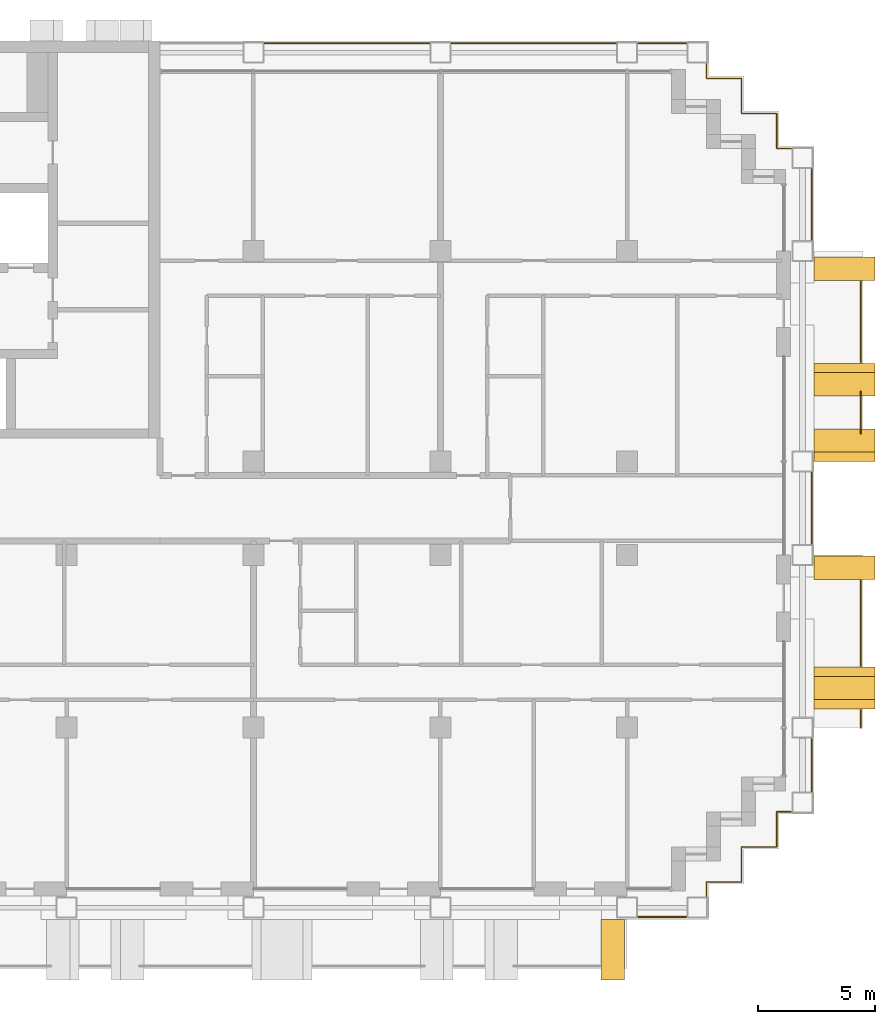
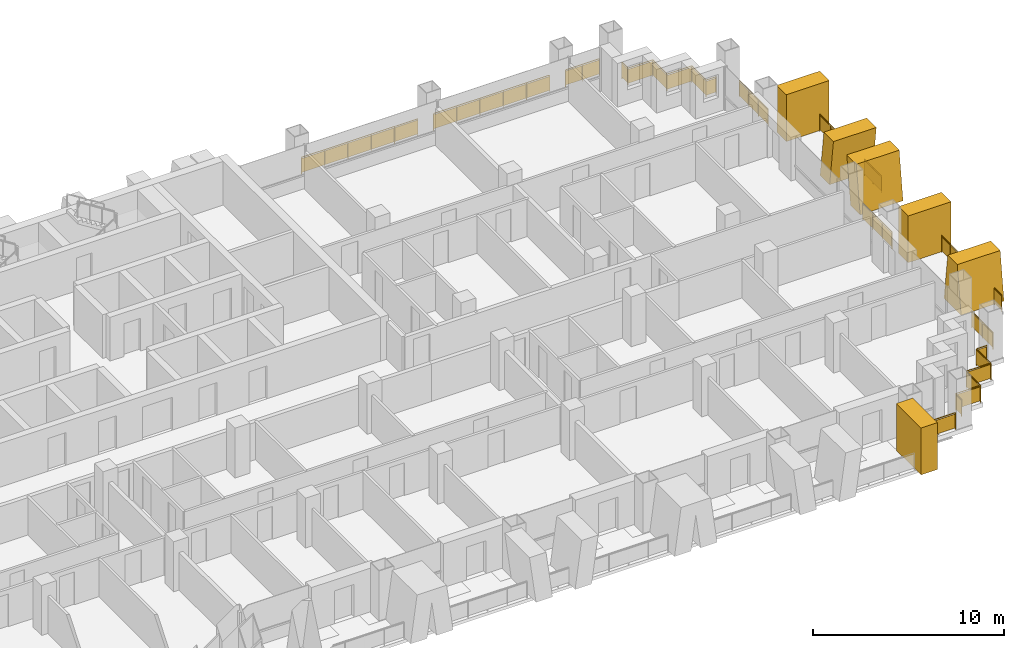
# One storey, part 18 of 18: 13 railings, 6 shading devices.
"""IFC4 building model written with IfcOpenShell, lengths in metres."""

from ifc_helpers import new_model, si_unit, direction, frame, origin, origin_2d, place, context, subcontext, project, spatial, polyline, rectangle, circle, outline, extrude, material, layer, layer_set, type_object, element, save


model = new_model("IFC4")

# Units and contexts
model_context = context("Model", 3, precision=1e-05, world=origin(), true_north=direction((0.0, 1.0)))
body_context = subcontext(model_context, "Body", "Model", "MODEL_VIEW")
ifc_project = project(units=[si_unit("LENGTHUNIT", "METRE"), si_unit("AREAUNIT", "SQUARE_METRE"), si_unit("VOLUMEUNIT", "CUBIC_METRE"), si_unit("PLANEANGLEUNIT", "RADIAN"), si_unit("MASSUNIT", "GRAM", prefix="KILO")], contexts=[model_context])

# Site, building, storey
site_placement = place(None, origin())
site = spatial("IfcSite", under=ifc_project, at=site_placement, CompositionType="ELEMENT")
building_placement = place(site_placement, origin())
building = spatial("IfcBuilding", under=site, at=building_placement, Name="Vidyagriha Tower", CompositionType="ELEMENT")
storey_placement = place(building_placement, frame((0.0, 0.0, 103.10009765625)))
storey = spatial("IfcBuildingStorey", under=building, at=storey_placement, Name="L27", CompositionType="ELEMENT", Elevation=103.10009765625)

# Railings
ifc_material_1 = material(Name="Steel ASTM A500 Grade C black painted", Category="steel")
railing_type_1 = type_object("IfcRailingType", Name="Balcony guard 1100", PredefinedType="BALUSTRADE", material=ifc_material_1)
railing_1_placement = place(storey_placement, frame((44.0, -9.39990234375, 0.0)))
element("IfcRailing", 1, at=railing_1_placement, inside=storey, type_object=railing_type_1, Name="Balcony guard L27 R30.1-1", PredefinedType="BALUSTRADE", context=body_context, shape_type="SweptSolid", body=[
    extrude(circle(Radius=0.02490234375, at=origin_2d()), frame((0.0, 0.0, 1.0751953125), z_axis=(0.0, 1.0, 0.0), x_axis=(-1.0, 0.0, 0.0)), (0.0, 0.0, 1.0), 0.75),
    extrude(circle(Radius=0.02001953125, at=origin_2d()), origin(), (0.0, 0.0, 1.0), 1.050048828125),
    extrude(circle(Radius=0.02001953125, at=origin_2d()), frame((0.0, 0.75, 0.0)), (0.0, 0.0, 1.0), 1.050048828125),
    extrude(rectangle(XDim=0.010009765625, YDim=0.900146484375, at=origin_2d()), frame((0.0, 0.0, 0.550048828125), z_axis=(0.0, 1.0, 0.0), x_axis=(-1.0, 0.0, 0.0)), (0.0, 0.0, 1.0), 0.75),
])
railing_2_placement = place(storey_placement, frame((44.0, -6.75, 0.0)))
element("IfcRailing", 2, at=railing_2_placement, inside=storey, type_object=railing_type_1, Name="Balcony guard L27 R30.1-2", PredefinedType="BALUSTRADE", context=body_context, shape_type="SweptSolid", body=[
    extrude(circle(Radius=0.02490234375, at=origin_2d()), frame((0.0, 0.0, 1.0751953125), z_axis=(0.0, 1.0, 0.0), x_axis=(-1.0, 0.0, 0.0)), (0.0, 0.0, 1.0), 3.64990234375),
    extrude(circle(Radius=0.02001953125, at=origin_2d()), origin(), (0.0, 0.0, 1.0), 1.050048828125),
    extrude(circle(Radius=0.02001953125, at=origin_2d()), frame((0.0, 0.91259765625, 0.0)), (0.0, 0.0, 1.0), 1.050048828125),
    extrude(circle(Radius=0.02001953125, at=origin_2d()), frame((0.0, 1.824951171875, 0.0)), (0.0, 0.0, 1.0), 1.050048828125),
    extrude(circle(Radius=0.02001953125, at=origin_2d()), frame((0.0, 2.7373046875, 0.0)), (0.0, 0.0, 1.0), 1.050048828125),
    extrude(circle(Radius=0.02001953125, at=origin_2d()), frame((0.0, 3.64990234375, 0.0)), (0.0, 0.0, 1.0), 1.050048828125),
    extrude(rectangle(XDim=0.010009765625, YDim=0.900146484375, at=origin_2d()), frame((0.0, 0.0, 0.550048828125), z_axis=(0.0, 1.0, 0.0), x_axis=(-1.0, 0.0, 0.0)), (0.0, 0.0, 1.0), 3.64990234375),
])
railing_3_placement = place(storey_placement, frame((44.0, 3.203369140625, 0.0)))
element("IfcRailing", 3, at=railing_3_placement, inside=storey, type_object=railing_type_1, Name="Balcony guard L27 R30.2-1", PredefinedType="BALUSTRADE", context=body_context, shape_type="SweptSolid", body=[
    extrude(circle(Radius=0.02490234375, at=origin_2d()), frame((0.0, 0.0, 1.0751953125), z_axis=(0.0, 1.0, 0.0), x_axis=(-1.0, 0.0, 0.0)), (0.0, 0.0, 1.0), 1.793212890625),
    extrude(circle(Radius=0.02001953125, at=origin_2d()), origin(), (0.0, 0.0, 1.0), 1.050048828125),
    extrude(circle(Radius=0.02001953125, at=origin_2d()), frame((0.0, 0.896484375, 0.0)), (0.0, 0.0, 1.0), 1.050048828125),
    extrude(circle(Radius=0.02001953125, at=origin_2d()), frame((0.0, 1.793212890625, 0.0)), (0.0, 0.0, 1.0), 1.050048828125),
    extrude(rectangle(XDim=0.010009765625, YDim=0.900146484375, at=origin_2d()), frame((0.0, 0.0, 0.550048828125), z_axis=(0.0, 1.0, 0.0), x_axis=(-1.0, 0.0, 0.0)), (0.0, 0.0, 1.0), 1.793212890625),
])
railing_4_placement = place(storey_placement, frame((44.0, 6.25, 0.0)))
element("IfcRailing", 4, at=railing_4_placement, inside=storey, type_object=railing_type_1, Name="Balcony guard L27 R30.2-2", PredefinedType="BALUSTRADE", context=body_context, shape_type="SweptSolid", body=[
    extrude(circle(Radius=0.02490234375, at=origin_2d()), frame((0.0, 0.0, 1.0751953125), z_axis=(0.0, 1.0, 0.0), x_axis=(-1.0, 0.0, 0.0)), (0.0, 0.0, 1.0), 3.449951171875),
    extrude(circle(Radius=0.02001953125, at=origin_2d()), origin(), (0.0, 0.0, 1.0), 1.050048828125),
    extrude(circle(Radius=0.02001953125, at=origin_2d()), frame((0.0, 1.14990234375, 0.0)), (0.0, 0.0, 1.0), 1.050048828125),
    extrude(circle(Radius=0.02001953125, at=origin_2d()), frame((0.0, 2.300048828125, 0.0)), (0.0, 0.0, 1.0), 1.050048828125),
    extrude(circle(Radius=0.02001953125, at=origin_2d()), frame((0.0, 3.449951171875, 0.0)), (0.0, 0.0, 1.0), 1.050048828125),
    extrude(rectangle(XDim=0.010009765625, YDim=0.900146484375, at=origin_2d()), frame((0.0, 0.0, 0.550048828125), z_axis=(0.0, 1.0, 0.0), x_axis=(-1.0, 0.0, 0.0)), (0.0, 0.0, 1.0), 3.449951171875),
])

# Shading devices
ifc_material_2 = material(Name="Precast concrete C40/50 with buff brick facing", Category="concrete")
ifc_layer_1 = layer(ifc_material_2, 1.0)
ifc_layer_set_1 = layer_set([ifc_layer_1], Name="Precast concrete C40/50 with buff brick facing")
shading_device_type_1 = type_object("IfcShadingDeviceType", Name="Brick-faced blade fin arm leaning 8 degrees", PredefinedType="USERDEFINED", material=ifc_layer_set_1)
shading_device_1_placement = place(storey_placement, frame((43.300048828125, 4.800048828125, 0.0), z_axis=(0.0, 0.0, 1.0), x_axis=(0.0, 1.0, 0.0)))
element("IfcShadingDevice", 5, at=shading_device_1_placement, inside=storey, type_object=shading_device_type_1, Name="Leaning blade fin L27 R30.1350a", ObjectType="BLADE FIN", PredefinedType="USERDEFINED", context=body_context, shape_type="SweptSolid", body=[
    extrude(outline(polyline([(0.39990234375, 0.0), (1.39990234375, 0.0), (1.0, 3.0), (0.0, 3.0), (0.39990234375, 0.0)])), frame((0.0, 1.300048828125, 0.0), z_axis=(0.0, -1.0, 0.0), x_axis=(1.0, 0.0, 0.0)), (0.0, 0.0, 1.0), 2.60009765625),
])
shading_device_2_placement = place(storey_placement, frame((43.300048828125, 2.0, 0.0), z_axis=(0.0, 0.0, 1.0), x_axis=(0.0, 1.0, 0.0)))
element("IfcShadingDevice", 6, at=shading_device_2_placement, inside=storey, type_object=shading_device_type_1, Name="Leaning blade fin L27 R30.1350b", ObjectType="BLADE FIN", PredefinedType="USERDEFINED", context=body_context, shape_type="SweptSolid", body=[
    extrude(outline(polyline([(0.0, 0.0), (1.0, 0.0), (1.39990234375, 3.0), (0.39990234375, 3.0), (0.0, 0.0)])), frame((0.0, 1.300048828125, 0.0), z_axis=(0.0, -1.0, 0.0), x_axis=(1.0, 0.0, 0.0)), (0.0, 0.0, 1.0), 2.60009765625),
])
ifc_material_3 = material(Name="Precast concrete C40/50 with buff brick facing", Category="concrete")
ifc_layer_2 = layer(ifc_material_3, 1.0)
ifc_layer_set_2 = layer_set([ifc_layer_2], Name="Precast concrete C40/50 with buff brick facing")
shading_device_type_2 = type_object("IfcShadingDeviceType", Name="Brick-faced blade fin forking 8 degrees", PredefinedType="USERDEFINED", material=ifc_layer_set_2)
shading_device_3_placement = place(storey_placement, frame((43.300048828125, -8.60009765625, 0.0), z_axis=(0.0, 0.0, 1.0), x_axis=(0.0, 1.0, 0.0)))
element("IfcShadingDevice", 7, at=shading_device_3_placement, inside=storey, type_object=shading_device_type_2, Name="Forked blade fin L27 R30.210a", ObjectType="BLADE FIN", PredefinedType="USERDEFINED", context=body_context, shape_type="SweptSolid", body=[
    extrude(outline(polyline([(0.0, 0.0), (1.800048828125, 0.0), (1.39990234375, 3.0), (0.39990234375, 3.0), (0.0, 0.0)])), frame((0.0, 1.300048828125, 0.0), z_axis=(0.0, -1.0, 0.0), x_axis=(1.0, 0.0, 0.0)), (0.0, 0.0, 1.0), 2.60009765625),
])
ifc_material_4 = material(Name="Precast concrete C40/50 with buff brick facing", Category="concrete")
ifc_layer_3 = layer(ifc_material_4, 1.0)
ifc_layer_set_3 = layer_set([ifc_layer_3], Name="Precast concrete C40/50 with buff brick facing")
shading_device_type_3 = type_object("IfcShadingDeviceType", Name="Brick-faced blade fin stem 1000", PredefinedType="USERDEFINED", material=ifc_layer_set_3)
shading_device_4_placement = place(storey_placement, frame((32.875, -18.89990234375, 0.0)))
element("IfcShadingDevice", 8, at=shading_device_4_placement, inside=storey, type_object=shading_device_type_3, Name="Stem blade fin L27 R23.5790a", ObjectType="BLADE FIN", PredefinedType="USERDEFINED", context=body_context, shape_type="SweptSolid", body=[
    extrude(outline(polyline([(0.0, 0.0), (1.0, 0.0), (1.0, 3.0), (0.0, 3.0), (0.0, 0.0)])), frame((0.0, 1.300048828125, 0.0), z_axis=(0.0, -1.0, 0.0), x_axis=(1.0, 0.0, 0.0)), (0.0, 0.0, 1.0), 2.60009765625),
])
for number, where, z_axis, x_axis, name in (
    (9, (43.300048828125, -3.050048828125, 0.0), (0.0, 0.0, 1.0), (0.0, 1.0, 0.0), "Stem blade fin L27 R30.950a"),
    (10, (43.300048828125, 9.75, 0.0), (0.0, 0.0, 1.0), (0.0, 1.0, 0.0), "Stem blade fin L27 R30.2250a"),
):
    element("IfcShadingDevice", number, at=place(storey_placement, frame(where, z_axis=z_axis, x_axis=x_axis)), inside=storey, type_object=shading_device_type_3, Name=name, ObjectType="BLADE FIN", PredefinedType="USERDEFINED", context=body_context, shape_type="SweptSolid", body=[
        extrude(outline(polyline([(0.0, 0.0), (1.0, 0.0), (1.0, 3.0), (0.0, 3.0), (0.0, 0.0)])), frame((0.0, 1.300048828125, 0.0), z_axis=(0.0, -1.0, 0.0), x_axis=(1.0, 0.0, 0.0)), (0.0, 0.0, 1.0), 2.60009765625),
    ])

# Railings
ifc_material_5 = material(Name="Steel ASTM A500 Grade C black painted", Category="steel")
railing_type_2 = type_object("IfcRailingType", Name="Gallery guard 1100", PredefinedType="GUARDRAIL", material=ifc_material_5)
for number, where, name in (
    (11, (18.47998046875, 19.89990234375, 0.0), "Gallery guard L27 10"),
    (12, (26.47998046875, 19.89990234375, 0.0), "Gallery guard L27 11"),
):
    element("IfcRailing", number, at=place(storey_placement, frame(where)), inside=storey, type_object=railing_type_2, Name=name, PredefinedType="GUARDRAIL", context=body_context, shape_type="SweptSolid", body=[
        extrude(circle(Radius=0.02490234375, at=origin_2d()), frame((0.0, 0.0, 1.0751953125), z_axis=(1.0, 0.0, 0.0), x_axis=(0.0, 1.0, 0.0)), (0.0, 0.0, 1.0), 7.0400390625),
        extrude(circle(Radius=0.02001953125, at=origin_2d()), origin(), (0.0, 0.0, 1.0), 1.050048828125),
        extrude(circle(Radius=0.02001953125, at=origin_2d()), frame((1.407958984375, 0.0, 0.0)), (0.0, 0.0, 1.0), 1.050048828125),
        extrude(circle(Radius=0.02001953125, at=origin_2d()), frame((2.81591796875, 0.0, 0.0)), (0.0, 0.0, 1.0), 1.050048828125),
        extrude(circle(Radius=0.02001953125, at=origin_2d()), frame((4.22412109375, 0.0, 0.0)), (0.0, 0.0, 1.0), 1.050048828125),
        extrude(circle(Radius=0.02001953125, at=origin_2d()), frame((5.632080078125, 0.0, 0.0)), (0.0, 0.0, 1.0), 1.050048828125),
        extrude(circle(Radius=0.02001953125, at=origin_2d()), frame((7.0400390625, 0.0, 0.0)), (0.0, 0.0, 1.0), 1.050048828125),
        extrude(rectangle(XDim=0.010009765625, YDim=0.900146484375, at=origin_2d()), frame((0.0, 0.0, 0.550048828125), z_axis=(1.0, 0.0, 0.0), x_axis=(0.0, 1.0, 0.0)), (0.0, 0.0, 1.0), 7.0400390625),
    ])
railing_5_placement = place(storey_placement, frame((36.52001953125, -17.5, 0.0)))
element("IfcRailing", 13, at=railing_5_placement, inside=storey, type_object=railing_type_2, Name="Gallery guard L27 12", PredefinedType="GUARDRAIL", context=body_context, shape_type="SweptSolid", body=[
    extrude(circle(Radius=0.02490234375, at=origin_2d()), frame((0.0, 0.0, 1.0751953125), z_axis=(-1.0, 0.0, 0.0), x_axis=(0.0, -1.0, 0.0)), (0.0, 0.0, 1.0), 2.0400390625),
    extrude(circle(Radius=0.02001953125, at=origin_2d()), origin(), (0.0, 0.0, 1.0), 1.050048828125),
    extrude(circle(Radius=0.02001953125, at=origin_2d()), frame((-1.02001953125, 0.0, 0.0)), (0.0, 0.0, 1.0), 1.050048828125),
    extrude(circle(Radius=0.02001953125, at=origin_2d()), frame((-2.0400390625, 0.0, 0.0)), (0.0, 0.0, 1.0), 1.050048828125),
    extrude(rectangle(XDim=0.010009765625, YDim=0.900146484375, at=origin_2d()), frame((0.0, 0.0, 0.550048828125), z_axis=(-1.0, 0.0, 0.0), x_axis=(0.0, -1.0, 0.0)), (0.0, 0.0, 1.0), 2.0400390625),
])
railing_6_placement = place(storey_placement, frame((34.47998046875, 19.89990234375, 0.0)))
element("IfcRailing", 14, at=railing_6_placement, inside=storey, type_object=railing_type_2, Name="Gallery guard L27 13", PredefinedType="GUARDRAIL", context=body_context, shape_type="SweptSolid", body=[
    extrude(circle(Radius=0.02490234375, at=origin_2d()), frame((0.0, 0.0, 1.0751953125), z_axis=(1.0, 0.0, 0.0), x_axis=(0.0, 1.0, 0.0)), (0.0, 0.0, 1.0), 2.0400390625),
    extrude(circle(Radius=0.02001953125, at=origin_2d()), origin(), (0.0, 0.0, 1.0), 1.050048828125),
    extrude(circle(Radius=0.02001953125, at=origin_2d()), frame((1.02001953125, 0.0, 0.0)), (0.0, 0.0, 1.0), 1.050048828125),
    extrude(circle(Radius=0.02001953125, at=origin_2d()), frame((2.0400390625, 0.0, 0.0)), (0.0, 0.0, 1.0), 1.050048828125),
    extrude(rectangle(XDim=0.010009765625, YDim=0.900146484375, at=origin_2d()), frame((0.0, 0.0, 0.550048828125), z_axis=(1.0, 0.0, 0.0), x_axis=(0.0, 1.0, 0.0)), (0.0, 0.0, 1.0), 2.0400390625),
])
railing_7_placement = place(storey_placement, frame((41.02001953125, -13.0, 0.0)))
element("IfcRailing", 15, at=railing_7_placement, inside=storey, type_object=railing_type_2, Name="Gallery guard L27 14", PredefinedType="GUARDRAIL", context=body_context, shape_type="SweptSolid", body=[
    extrude(circle(Radius=0.02490234375, at=origin_2d()), frame((0.0, 0.0, 1.0751953125), z_axis=(-1.0, 0.0, 0.0), x_axis=(0.0, -1.0, 0.0)), (0.0, 0.0, 1.0), 0.6201171875),
    extrude(circle(Radius=0.02490234375, at=origin_2d()), frame((-0.6201171875, 0.0, 1.0751953125), z_axis=(0.0, -1.0, 0.0), x_axis=(1.0, 0.0, 0.0)), (0.0, 0.0, 1.0), 1.5),
    extrude(circle(Radius=0.02490234375, at=origin_2d()), frame((-0.6201171875, -1.5, 1.0751953125), z_axis=(-1.0, 0.0, 0.0), x_axis=(0.0, -1.0, 0.0)), (0.0, 0.0, 1.0), 1.5),
    extrude(circle(Radius=0.02490234375, at=origin_2d()), frame((-2.1201171875, -1.5, 1.0751953125), z_axis=(0.0, -1.0, 0.0), x_axis=(1.0, 0.0, 0.0)), (0.0, 0.0, 1.0), 1.5),
    extrude(circle(Radius=0.02490234375, at=origin_2d()), frame((-2.1201171875, -3.0, 1.0751953125), z_axis=(-1.0, 0.0, 0.0), x_axis=(0.0, -1.0, 0.0)), (0.0, 0.0, 1.0), 1.5),
    extrude(circle(Radius=0.02490234375, at=origin_2d()), frame((-3.6201171875, -3.0, 1.0751953125), z_axis=(0.0, -1.0, 0.0), x_axis=(1.0, 0.0, 0.0)), (0.0, 0.0, 1.0), 0.6201171875),
    extrude(circle(Radius=0.02001953125, at=origin_2d()), origin(), (0.0, 0.0, 1.0), 1.050048828125),
    extrude(circle(Radius=0.02001953125, at=origin_2d()), frame((-0.6201171875, 0.0, 0.0)), (0.0, 0.0, 1.0), 1.050048828125),
    extrude(circle(Radius=0.02001953125, at=origin_2d()), frame((-0.6201171875, -1.5, 0.0)), (0.0, 0.0, 1.0), 1.050048828125),
    extrude(circle(Radius=0.02001953125, at=origin_2d()), frame((-2.1201171875, -1.5, 0.0)), (0.0, 0.0, 1.0), 1.050048828125),
    extrude(circle(Radius=0.02001953125, at=origin_2d()), frame((-2.1201171875, -3.0, 0.0)), (0.0, 0.0, 1.0), 1.050048828125),
    extrude(circle(Radius=0.02001953125, at=origin_2d()), frame((-3.6201171875, -3.0, 0.0)), (0.0, 0.0, 1.0), 1.050048828125),
    extrude(circle(Radius=0.02001953125, at=origin_2d()), frame((-3.6201171875, -3.6201171875, 0.0)), (0.0, 0.0, 1.0), 1.050048828125),
    extrude(rectangle(XDim=0.010009765625, YDim=0.900146484375, at=origin_2d()), frame((0.0, 0.0, 0.550048828125), z_axis=(-1.0, 0.0, 0.0), x_axis=(0.0, -1.0, 0.0)), (0.0, 0.0, 1.0), 0.6201171875),
    extrude(rectangle(XDim=0.010009765625, YDim=0.900146484375, at=origin_2d()), frame((-0.6201171875, 0.0, 0.550048828125), z_axis=(0.0, -1.0, 0.0), x_axis=(1.0, 0.0, 0.0)), (0.0, 0.0, 1.0), 1.5),
    extrude(rectangle(XDim=0.010009765625, YDim=0.900146484375, at=origin_2d()), frame((-0.6201171875, -1.5, 0.550048828125), z_axis=(-1.0, 0.0, 0.0), x_axis=(0.0, -1.0, 0.0)), (0.0, 0.0, 1.0), 1.5),
    extrude(rectangle(XDim=0.010009765625, YDim=0.900146484375, at=origin_2d()), frame((-2.1201171875, -1.5, 0.550048828125), z_axis=(0.0, -1.0, 0.0), x_axis=(1.0, 0.0, 0.0)), (0.0, 0.0, 1.0), 1.5),
    extrude(rectangle(XDim=0.010009765625, YDim=0.900146484375, at=origin_2d()), frame((-2.1201171875, -3.0, 0.550048828125), z_axis=(-1.0, 0.0, 0.0), x_axis=(0.0, -1.0, 0.0)), (0.0, 0.0, 1.0), 1.5),
    extrude(rectangle(XDim=0.010009765625, YDim=0.900146484375, at=origin_2d()), frame((-3.6201171875, -3.0, 0.550048828125), z_axis=(0.0, -1.0, 0.0), x_axis=(1.0, 0.0, 0.0)), (0.0, 0.0, 1.0), 0.6201171875),
])
railing_8_placement = place(storey_placement, frame((37.39990234375, 19.02001953125, 0.0)))
element("IfcRailing", 16, at=railing_8_placement, inside=storey, type_object=railing_type_2, Name="Gallery guard L27 15", PredefinedType="GUARDRAIL", context=body_context, shape_type="SweptSolid", body=[
    extrude(circle(Radius=0.02490234375, at=origin_2d()), frame((0.0, 0.0, 1.0751953125), z_axis=(0.0, -1.0, 0.0), x_axis=(1.0, 0.0, 0.0)), (0.0, 0.0, 1.0), 0.6201171875),
    extrude(circle(Radius=0.02490234375, at=origin_2d()), frame((0.0, -0.6201171875, 1.0751953125), z_axis=(1.0, 0.0, 0.0), x_axis=(0.0, 1.0, 0.0)), (0.0, 0.0, 1.0), 1.5),
    extrude(circle(Radius=0.02490234375, at=origin_2d()), frame((1.5, -0.6201171875, 1.0751953125), z_axis=(0.0, -1.0, 0.0), x_axis=(1.0, 0.0, 0.0)), (0.0, 0.0, 1.0), 1.5),
    extrude(circle(Radius=0.02490234375, at=origin_2d()), frame((1.5, -2.1201171875, 1.0751953125), z_axis=(1.0, 0.0, 0.0), x_axis=(0.0, 1.0, 0.0)), (0.0, 0.0, 1.0), 1.5),
    extrude(circle(Radius=0.02490234375, at=origin_2d()), frame((3.0, -2.1201171875, 1.0751953125), z_axis=(0.0, -1.0, 0.0), x_axis=(1.0, 0.0, 0.0)), (0.0, 0.0, 1.0), 1.5),
    extrude(circle(Radius=0.02490234375, at=origin_2d()), frame((3.0, -3.6201171875, 1.0751953125), z_axis=(1.0, 0.0, 0.0), x_axis=(0.0, 1.0, 0.0)), (0.0, 0.0, 1.0), 0.6201171875),
    extrude(circle(Radius=0.02001953125, at=origin_2d()), origin(), (0.0, 0.0, 1.0), 1.050048828125),
    extrude(circle(Radius=0.02001953125, at=origin_2d()), frame((0.0, -0.6201171875, 0.0)), (0.0, 0.0, 1.0), 1.050048828125),
    extrude(circle(Radius=0.02001953125, at=origin_2d()), frame((1.5, -0.6201171875, 0.0)), (0.0, 0.0, 1.0), 1.050048828125),
    extrude(circle(Radius=0.02001953125, at=origin_2d()), frame((1.5, -2.1201171875, 0.0)), (0.0, 0.0, 1.0), 1.050048828125),
    extrude(circle(Radius=0.02001953125, at=origin_2d()), frame((3.0, -2.1201171875, 0.0)), (0.0, 0.0, 1.0), 1.050048828125),
    extrude(circle(Radius=0.02001953125, at=origin_2d()), frame((3.0, -3.6201171875, 0.0)), (0.0, 0.0, 1.0), 1.050048828125),
    extrude(circle(Radius=0.02001953125, at=origin_2d()), frame((3.6201171875, -3.6201171875, 0.0)), (0.0, 0.0, 1.0), 1.050048828125),
    extrude(rectangle(XDim=0.010009765625, YDim=0.900146484375, at=origin_2d()), frame((0.0, 0.0, 0.550048828125), z_axis=(0.0, -1.0, 0.0), x_axis=(1.0, 0.0, 0.0)), (0.0, 0.0, 1.0), 0.6201171875),
    extrude(rectangle(XDim=0.010009765625, YDim=0.900146484375, at=origin_2d()), frame((0.0, -0.6201171875, 0.550048828125), z_axis=(1.0, 0.0, 0.0), x_axis=(0.0, 1.0, 0.0)), (0.0, 0.0, 1.0), 1.5),
    extrude(rectangle(XDim=0.010009765625, YDim=0.900146484375, at=origin_2d()), frame((1.5, -0.6201171875, 0.550048828125), z_axis=(0.0, -1.0, 0.0), x_axis=(1.0, 0.0, 0.0)), (0.0, 0.0, 1.0), 1.5),
    extrude(rectangle(XDim=0.010009765625, YDim=0.900146484375, at=origin_2d()), frame((1.5, -2.1201171875, 0.550048828125), z_axis=(1.0, 0.0, 0.0), x_axis=(0.0, 1.0, 0.0)), (0.0, 0.0, 1.0), 1.5),
    extrude(rectangle(XDim=0.010009765625, YDim=0.900146484375, at=origin_2d()), frame((3.0, -2.1201171875, 0.550048828125), z_axis=(0.0, -1.0, 0.0), x_axis=(1.0, 0.0, 0.0)), (0.0, 0.0, 1.0), 1.5),
    extrude(rectangle(XDim=0.010009765625, YDim=0.900146484375, at=origin_2d()), frame((3.0, -3.6201171875, 0.550048828125), z_axis=(1.0, 0.0, 0.0), x_axis=(0.0, 1.0, 0.0)), (0.0, 0.0, 1.0), 0.6201171875),
])
railing_9_placement = place(storey_placement, frame((41.89990234375, -9.8798828125, 0.0)))
element("IfcRailing", 17, at=railing_9_placement, inside=storey, type_object=railing_type_2, Name="Gallery guard L27 16", PredefinedType="GUARDRAIL", context=body_context, shape_type="SweptSolid", body=[
    extrude(circle(Radius=0.02490234375, at=origin_2d()), frame((0.0, 0.0, 1.0751953125), z_axis=(0.0, -1.0, 0.0), x_axis=(1.0, 0.0, 0.0)), (0.0, 0.0, 1.0), 2.240234375),
    extrude(circle(Radius=0.02001953125, at=origin_2d()), origin(), (0.0, 0.0, 1.0), 1.050048828125),
    extrude(circle(Radius=0.02001953125, at=origin_2d()), frame((0.0, -1.1201171875, 0.0)), (0.0, 0.0, 1.0), 1.050048828125),
    extrude(circle(Radius=0.02001953125, at=origin_2d()), frame((0.0, -2.240234375, 0.0)), (0.0, 0.0, 1.0), 1.050048828125),
    extrude(rectangle(XDim=0.010009765625, YDim=0.900146484375, at=origin_2d()), frame((0.0, 0.0, 0.550048828125), z_axis=(0.0, -1.0, 0.0), x_axis=(1.0, 0.0, 0.0)), (0.0, 0.0, 1.0), 2.240234375),
])
for number, where, name in (
    (18, (41.89990234375, 1.52001953125, 0.0), "Gallery guard L27 17"),
    (19, (41.89990234375, 14.52001953125, 0.0), "Gallery guard L27 18"),
):
    element("IfcRailing", number, at=place(storey_placement, frame(where)), inside=storey, type_object=railing_type_2, Name=name, PredefinedType="GUARDRAIL", context=body_context, shape_type="SweptSolid", body=[
        extrude(circle(Radius=0.02490234375, at=origin_2d()), frame((0.0, 0.0, 1.0751953125), z_axis=(0.0, -1.0, 0.0), x_axis=(1.0, 0.0, 0.0)), (0.0, 0.0, 1.0), 3.0400390625),
        extrude(circle(Radius=0.02001953125, at=origin_2d()), origin(), (0.0, 0.0, 1.0), 1.050048828125),
        extrude(circle(Radius=0.02001953125, at=origin_2d()), frame((0.0, -1.013427734375, 0.0)), (0.0, 0.0, 1.0), 1.050048828125),
        extrude(circle(Radius=0.02001953125, at=origin_2d()), frame((0.0, -2.026611328125, 0.0)), (0.0, 0.0, 1.0), 1.050048828125),
        extrude(circle(Radius=0.02001953125, at=origin_2d()), frame((0.0, -3.0400390625, 0.0)), (0.0, 0.0, 1.0), 1.050048828125),
        extrude(rectangle(XDim=0.010009765625, YDim=0.900146484375, at=origin_2d()), frame((0.0, 0.0, 0.550048828125), z_axis=(0.0, -1.0, 0.0), x_axis=(1.0, 0.0, 0.0)), (0.0, 0.0, 1.0), 3.0400390625),
    ])

save(model, "model.ifc")
